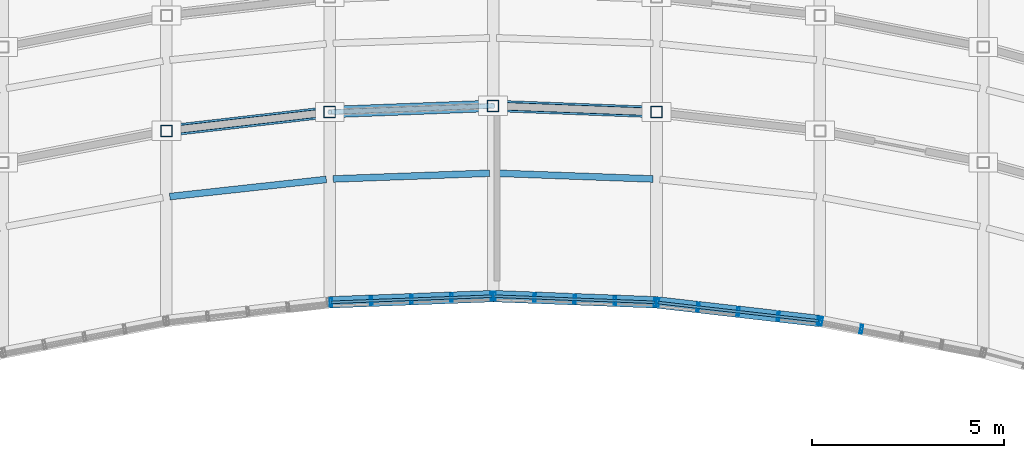
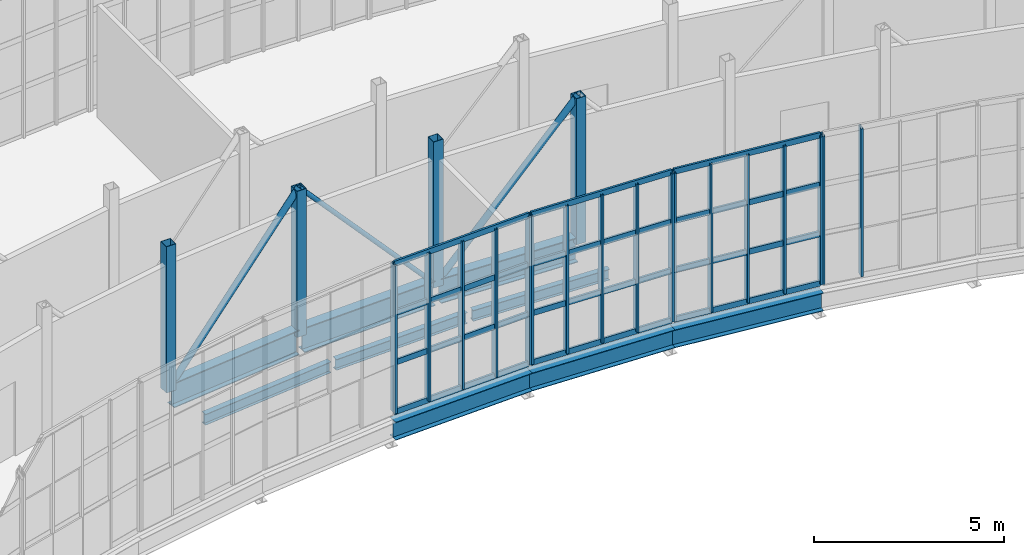
# One storey, part 21 of 46: 36 members, 9 beams, 4 elements without a shape of their own.
"""IFC4 building model written with IfcOpenShell, lengths in metres."""

from ifc_helpers import new_model, si_unit, direction, frame, origin, origin_2d, place, context, subcontext, project, spatial, hollow_rectangle, hollow_circle, i_section, extrude, material, material_profile, profile_set, type_object, element, aggregate, save


model = new_model("IFC4")

# Units and contexts
model_context = context("Model", 3, precision=1e-05, world=origin(), true_north=direction((0.0, 1.0)))
body_context = subcontext(model_context, "Body", "Model", "MODEL_VIEW")
ifc_project = project(units=[si_unit("LENGTHUNIT", "METRE"), si_unit("AREAUNIT", "SQUARE_METRE"), si_unit("VOLUMEUNIT", "CUBIC_METRE"), si_unit("PLANEANGLEUNIT", "RADIAN"), si_unit("MASSUNIT", "GRAM", prefix="KILO")], contexts=[model_context])

# Site, building, storey
site_placement = place(None, origin())
site = spatial("IfcSite", under=ifc_project, at=site_placement, CompositionType="ELEMENT")
building_placement = place(site_placement, origin())
building = spatial("IfcBuilding", under=site, at=building_placement, Name="Solvikara Media Centre", CompositionType="ELEMENT")
storey_placement = place(building_placement, frame((0.0, 0.0, 24.60009765625)))
storey = spatial("IfcBuildingStorey", under=building, at=storey_placement, Name="L05", CompositionType="ELEMENT", Elevation=24.60009765625)

# Beams
ifc_material_1 = material(Name="Steel S355JR", Category="steel")
ifc_material_profile_1 = material_profile(ifc_material_1, i_section(OverallWidth=0.300048828125, OverallDepth=0.800048828125, WebThickness=0.013916015625, FlangeThickness=0.02587890625, at=origin_2d()), Name="WF 800x300x14x26")
ifc_profile_set_1 = profile_set([ifc_material_profile_1], Name="Steel S355JR")
beam_type_1 = type_object("IfcBeamType", Name="BM-16", PredefinedType="BEAM", material=ifc_profile_set_1)
beam_1_placement = place(storey_placement, frame((93.589111328125, 29.778076171875, -0.6220703125), z_axis=(0.993485932274, 0.113954826025, 0.0), x_axis=(-0.113954826025, 0.993485932274, 0.0)))
element("IfcBeam", 1, at=beam_1_placement, inside=storey, type_object=beam_type_1, Name="B-L05-SPNS-04", PredefinedType="BEAM", context=body_context, shape_type="SweptSolid", body=[
    extrude(i_section(OverallWidth=0.300048828125, OverallDepth=0.800048828125, WebThickness=0.013916015625, FlangeThickness=0.02587890625, at=origin_2d()), origin(), (0.0, 0.0, 1.0), 4.098388671875),
])
for number, where, z_axis, x_axis, name in (
    (2, (97.840087890625, 30.258056640625, -0.6220703125), (0.999266124753, 0.038304202383, 0.0), (-0.038304202383, 0.999266124753, 0.0), "B-L05-SPNS-05"),
    (3, (102.090087890625, 30.4140625, -0.6220703125), (0.999266124753, -0.038304202383, 0.0), (0.038304202383, 0.999266124753, 0.0), "B-L05-SPNS-06"),
):
    element("IfcBeam", number, at=place(storey_placement, frame(where, z_axis=z_axis, x_axis=x_axis)), inside=storey, type_object=beam_type_1, Name=name, PredefinedType="BEAM", context=body_context, shape_type="SweptSolid", body=[
        extrude(i_section(OverallWidth=0.300048828125, OverallDepth=0.800048828125, WebThickness=0.013916015625, FlangeThickness=0.02587890625, at=origin_2d()), origin(), (0.0, 0.0, 1.0), 4.07275390625),
    ])
ifc_material_profile_2 = material_profile(ifc_material_1, i_section(OverallWidth=0.175048828125, OverallDepth=0.35009765625, WebThickness=0.007080078125, FlangeThickness=0.010986328125, at=origin_2d()), Name="WF 350x175x7x11")
ifc_profile_set_2 = profile_set([ifc_material_profile_2], Name="Steel S355JR")
beam_type_2 = type_object("IfcBeamType", Name="BM-22", PredefinedType="JOIST", material=ifc_profile_set_2)
beam_2_placement = place(storey_placement, frame((93.589111328125, 28.056884765625, -0.397216796875), z_axis=(0.994079138151, 0.108658488359, 0.0), x_axis=(-0.108658488359, 0.994079138151, 0.0)))
element("IfcBeam", 4, at=beam_2_placement, inside=storey, type_object=beam_type_2, Name="BJ-L05-04-20", PredefinedType="JOIST", context=body_context, shape_type="SweptSolid", body=[
    extrude(i_section(OverallWidth=0.175048828125, OverallDepth=0.35009765625, WebThickness=0.007080078125, FlangeThickness=0.010986328125, at=origin_2d()), origin(), (0.0, 0.0, 1.0), 4.095947265625),
])
for number, where, z_axis, x_axis, name in (
    (5, (97.840087890625, 28.514892578125, -0.397216796875), (0.999328966943, 0.036628074313, 0.0), (-0.036628074313, 0.999328966943, 0.0), "BJ-L05-05-20"),
    (6, (102.090087890625, 28.6640625, -0.397216796875), (0.999328966943, -0.036628074313, 0.0), (0.036628074313, 0.999328966943, 0.0), "BJ-L05-06-20"),
):
    element("IfcBeam", number, at=place(storey_placement, frame(where, z_axis=z_axis, x_axis=x_axis)), inside=storey, type_object=beam_type_2, Name=name, PredefinedType="JOIST", context=body_context, shape_type="SweptSolid", body=[
        extrude(i_section(OverallWidth=0.175048828125, OverallDepth=0.35009765625, WebThickness=0.007080078125, FlangeThickness=0.010986328125, at=origin_2d()), origin(), (0.0, 0.0, 1.0), 4.072509765625),
    ])
ifc_material_profile_3 = material_profile(ifc_material_1, i_section(OverallWidth=0.300048828125, OverallDepth=0.58203125, WebThickness=0.011962890625, FlangeThickness=0.01708984375, at=origin_2d()), Name="WF 582x300x12x17")
ifc_profile_set_3 = profile_set([ifc_material_profile_3], Name="Steel S355JR")
beam_type_3 = type_object("IfcBeamType", Name="BM-31", PredefinedType="SPANDREL", material=ifc_profile_set_3)
for number, where, z_axis, x_axis, name in (
    (7, (97.75, 25.304931640625, -0.51318359375), (0.999273334025, 0.038115664855, 0.0), (-0.038115664855, 0.999273334025, 0.0), "B-L05-SARC-05"),
    (8, (102.0, 25.467041015625, -0.51318359375), (0.999273334025, -0.038115664855, 0.0), (0.038115664855, 0.999273334025, 0.0), "B-L05-SARC-06"),
):
    element("IfcBeam", number, at=place(storey_placement, frame(where, z_axis=z_axis, x_axis=x_axis)), inside=storey, type_object=beam_type_3, Name=name, PredefinedType="SPANDREL", context=body_context, shape_type="SweptSolid", body=[
        extrude(i_section(OverallWidth=0.300048828125, OverallDepth=0.58203125, WebThickness=0.011962890625, FlangeThickness=0.01708984375, at=origin_2d()), origin(), (0.0, 0.0, 1.0), 4.253173828125),
    ])
beam_3_placement = place(storey_placement, frame((106.25, 25.304931640625, -0.51318359375), z_axis=(0.993503575407, -0.113800903571, 0.0), x_axis=(0.113800903571, 0.993503575407, 0.0)))
element("IfcBeam", 9, at=beam_3_placement, inside=storey, type_object=beam_type_3, Name="B-L05-SARC-07", PredefinedType="SPANDREL", context=body_context, shape_type="SweptSolid", body=[
    extrude(i_section(OverallWidth=0.300048828125, OverallDepth=0.58203125, WebThickness=0.011962890625, FlangeThickness=0.01708984375, at=origin_2d()), origin(), (0.0, 0.0, 1.0), 4.27783203125),
])

# Members
ifc_material_profile_4 = material_profile(ifc_material_1, hollow_circle(Radius=0.096923828125, WallThickness=0.008056640625, at=origin_2d()), Name="CHS 193.7x8")
ifc_profile_set_4 = profile_set([ifc_material_profile_4], Name="Steel S355JR")
member_type_1 = type_object("IfcMemberType", Name="MB-06", PredefinedType="BRACE", material=ifc_profile_set_4)
member_1_placement = place(storey_placement, frame((93.5, 29.76806640625, -0.4501953125), z_axis=(0.668720864465, 0.076598656005, 0.739557334713), x_axis=(-0.113800903571, 0.993503575407, 0.0)))
element("IfcMember", 10, at=member_1_placement, inside=storey, type_object=member_type_1, Name="WTR-L05-S-DA04", PredefinedType="BRACE", context=body_context, shape_type="SweptSolid", body=[
    extrude(hollow_circle(Radius=0.096923828125, WallThickness=0.008056640625, at=origin_2d()), origin(), (0.0, 0.0, 1.0), 6.35546875),
])
member_2_placement = place(storey_placement, frame((102.0, 30.4169921875, -0.4501953125), z_axis=(0.670471987907, -0.025574069392, 0.741493951699), x_axis=(0.038115664855, 0.999273334025, 0.0)))
element("IfcMember", 11, at=member_2_placement, inside=storey, type_object=member_type_1, Name="WTR-L05-S-DA06", PredefinedType="BRACE", context=body_context, shape_type="SweptSolid", body=[
    extrude(hollow_circle(Radius=0.096923828125, WallThickness=0.008056640625, at=origin_2d()), origin(), (0.0, 0.0, 1.0), 6.3388671875),
])
ifc_material_profile_5 = material_profile(ifc_material_1, hollow_circle(Radius=0.06982421875, WallThickness=0.00634765625, at=origin_2d()), Name="CHS 139.7x6.3")
ifc_profile_set_5 = profile_set([ifc_material_profile_5], Name="Steel S355JR")
member_type_2 = type_object("IfcMemberType", Name="MB-08", PredefinedType="BRACE", material=ifc_profile_set_5)
member_3_placement = place(storey_placement, frame((97.75, 30.2548828125, 4.25), z_axis=(0.670471987907, 0.025574069392, -0.741493951699), x_axis=(-0.038115664855, 0.999273334025, 0.0)))
element("IfcMember", 12, at=member_3_placement, inside=storey, type_object=member_type_2, Name="WTR-L05-S-DB05", PredefinedType="BRACE", context=body_context, shape_type="SweptSolid", body=[
    extrude(hollow_circle(Radius=0.06982421875, WallThickness=0.00634765625, at=origin_2d()), origin(), (0.0, 0.0, 1.0), 6.3388671875),
])
ifc_material_profile_6 = material_profile(ifc_material_1, hollow_rectangle(XDim=0.300048828125, YDim=0.300048828125, WallThickness=0.012451171875, at=origin_2d()), Name="RHS 300x300x12.5")
ifc_profile_set_6 = profile_set([ifc_material_profile_6], Name="Steel S355JR")
member_type_3 = type_object("IfcMemberType", Name="MB-11", PredefinedType="CHORD", material=ifc_profile_set_6)
for number, where, z_axis, x_axis, name in (
    (13, (93.5, 29.76806640625, -0.4501953125), (0.0, 0.0, 1.0), (1.0, 0.0, 0.0), "WTR-L05-S-V04"),
    (14, (97.75, 30.2548828125, -0.4501953125), (0.0, 0.0, 1.0), (1.0, 0.0, 0.0), "WTR-L05-S-V05"),
    (15, (102.0, 30.4169921875, -0.4501953125), (0.0, 0.0, 1.0), (1.0, 0.0, 0.0), "WTR-L05-S-V06"),
    (16, (106.25, 30.2548828125, -0.4501953125), (0.0, 0.0, 1.0), (1.0, 0.0, 0.0), "WTR-L05-S-V07"),
):
    element("IfcMember", number, at=place(storey_placement, frame(where, z_axis=z_axis, x_axis=x_axis)), inside=storey, type_object=member_type_3, Name=name, PredefinedType="CHORD", context=body_context, shape_type="SweptSolid", body=[
        extrude(hollow_rectangle(XDim=0.300048828125, YDim=0.300048828125, WallThickness=0.012451171875, at=origin_2d()), origin(), (0.0, 0.0, 1.0), 4.7001953125),
    ])

# Curtain wall, members
ifc_material_2 = material(Name="Anodised aluminium EN AW-6063", Category="aluminium")
curtain_wall_type = type_object("IfcCurtainWallType", Name="CW-01", PredefinedType="NOTDEFINED", material=ifc_material_2)
curtain_wall_1_placement = place(storey_placement, origin())
curtain_wall_1 = element("IfcCurtainWall", 17, at=curtain_wall_1_placement, inside=storey, type_object=curtain_wall_type, Name="CW-L05-SARC-05", PredefinedType="NOTDEFINED")
ifc_material_profile_7 = material_profile(ifc_material_2, hollow_rectangle(XDim=0.06494140625, YDim=0.219970703125, WallThickness=0.00390625, at=origin_2d()), Name="ALU-M 65x220x4")
ifc_profile_set_7 = profile_set([ifc_material_profile_7], Name="Anodised aluminium EN AW-6063")
member_type_4 = type_object("IfcMemberType", Name="MF-01", PredefinedType="MULLION", material=ifc_profile_set_7)
member_4_placement = place(storey_placement, frame((97.784912109375, 25.305908203125, 0.02001953125), z_axis=(0.0, 0.0, 1.0), x_axis=(0.999268266619, 0.03824828529, 0.0)))
member_4 = element("IfcMember", 18, at=member_4_placement, type_object=member_type_4, Name="CW-L05-SARC-05-M00", PredefinedType="MULLION", context=body_context, shape_type="SweptSolid", body=[
    extrude(hollow_rectangle(XDim=0.06494140625, YDim=0.219970703125, WallThickness=0.00390625, at=origin_2d()), origin(), (0.0, 0.0, 1.0), 4.759765625),
])
member_5_placement = place(storey_placement, frame((98.830078125, 25.345947265625, 0.02001953125), z_axis=(0.0, 0.0, 1.0), x_axis=(0.999268266619, 0.03824828529, 0.0)))
member_5 = element("IfcMember", 19, at=member_5_placement, type_object=member_type_4, Name="CW-L05-SARC-05-M01", PredefinedType="MULLION", context=body_context, shape_type="SweptSolid", body=[
    extrude(hollow_rectangle(XDim=0.06494140625, YDim=0.219970703125, WallThickness=0.00390625, at=origin_2d()), origin(), (0.0, 0.0, 1.0), 4.759765625),
])
member_6_placement = place(storey_placement, frame((99.875, 25.385986328125, 0.02001953125), z_axis=(0.0, 0.0, 1.0), x_axis=(0.999268266619, 0.03824828529, 0.0)))
member_6 = element("IfcMember", 20, at=member_6_placement, type_object=member_type_4, Name="CW-L05-SARC-05-M02", PredefinedType="MULLION", context=body_context, shape_type="SweptSolid", body=[
    extrude(hollow_rectangle(XDim=0.06494140625, YDim=0.219970703125, WallThickness=0.00390625, at=origin_2d()), origin(), (0.0, 0.0, 1.0), 4.759765625),
])
member_7_placement = place(storey_placement, frame((100.919921875, 25.426025390625, 0.02001953125), z_axis=(0.0, 0.0, 1.0), x_axis=(0.999268266619, 0.03824828529, 0.0)))
member_7 = element("IfcMember", 21, at=member_7_placement, type_object=member_type_4, Name="CW-L05-SARC-05-M03", PredefinedType="MULLION", context=body_context, shape_type="SweptSolid", body=[
    extrude(hollow_rectangle(XDim=0.06494140625, YDim=0.219970703125, WallThickness=0.00390625, at=origin_2d()), origin(), (0.0, 0.0, 1.0), 4.759765625),
])
member_8_placement = place(storey_placement, frame((101.965087890625, 25.466064453125, 0.02001953125), z_axis=(0.0, 0.0, 1.0), x_axis=(0.999268266619, 0.03824828529, 0.0)))
member_8 = element("IfcMember", 22, at=member_8_placement, type_object=member_type_4, Name="CW-L05-SARC-05-M04", PredefinedType="MULLION", context=body_context, shape_type="SweptSolid", body=[
    extrude(hollow_rectangle(XDim=0.06494140625, YDim=0.219970703125, WallThickness=0.00390625, at=origin_2d()), origin(), (0.0, 0.0, 1.0), 4.759765625),
])

curtain_wall_2_placement = place(storey_placement, origin())
curtain_wall_2 = element("IfcCurtainWall", 23, at=curtain_wall_2_placement, inside=storey, type_object=curtain_wall_type, Name="CW-L05-SARC-06", PredefinedType="NOTDEFINED")
member_9_placement = place(storey_placement, frame((102.034912109375, 25.466064453125, 0.02001953125), z_axis=(0.0, 0.0, 1.0), x_axis=(0.999268266619, -0.03824828529, 0.0)))
member_9 = element("IfcMember", 24, at=member_9_placement, type_object=member_type_4, Name="CW-L05-SARC-06-M00", PredefinedType="MULLION", context=body_context, shape_type="SweptSolid", body=[
    extrude(hollow_rectangle(XDim=0.06494140625, YDim=0.219970703125, WallThickness=0.00390625, at=origin_2d()), origin(), (0.0, 0.0, 1.0), 4.759765625),
])
member_10_placement = place(storey_placement, frame((103.080078125, 25.426025390625, 0.02001953125), z_axis=(0.0, 0.0, 1.0), x_axis=(0.999268266619, -0.03824828529, 0.0)))
member_10 = element("IfcMember", 25, at=member_10_placement, type_object=member_type_4, Name="CW-L05-SARC-06-M01", PredefinedType="MULLION", context=body_context, shape_type="SweptSolid", body=[
    extrude(hollow_rectangle(XDim=0.06494140625, YDim=0.219970703125, WallThickness=0.00390625, at=origin_2d()), origin(), (0.0, 0.0, 1.0), 4.759765625),
])
member_11_placement = place(storey_placement, frame((104.125, 25.385986328125, 0.02001953125), z_axis=(0.0, 0.0, 1.0), x_axis=(0.999268266619, -0.03824828529, 0.0)))
member_11 = element("IfcMember", 26, at=member_11_placement, type_object=member_type_4, Name="CW-L05-SARC-06-M02", PredefinedType="MULLION", context=body_context, shape_type="SweptSolid", body=[
    extrude(hollow_rectangle(XDim=0.06494140625, YDim=0.219970703125, WallThickness=0.00390625, at=origin_2d()), origin(), (0.0, 0.0, 1.0), 4.759765625),
])
member_12_placement = place(storey_placement, frame((105.169921875, 25.345947265625, 0.02001953125), z_axis=(0.0, 0.0, 1.0), x_axis=(0.999268266619, -0.03824828529, 0.0)))
member_12 = element("IfcMember", 27, at=member_12_placement, type_object=member_type_4, Name="CW-L05-SARC-06-M03", PredefinedType="MULLION", context=body_context, shape_type="SweptSolid", body=[
    extrude(hollow_rectangle(XDim=0.06494140625, YDim=0.219970703125, WallThickness=0.00390625, at=origin_2d()), origin(), (0.0, 0.0, 1.0), 4.759765625),
])
member_13_placement = place(storey_placement, frame((106.215087890625, 25.305908203125, 0.02001953125), z_axis=(0.0, 0.0, 1.0), x_axis=(0.999268266619, -0.03824828529, 0.0)))
member_13 = element("IfcMember", 28, at=member_13_placement, type_object=member_type_4, Name="CW-L05-SARC-06-M04", PredefinedType="MULLION", context=body_context, shape_type="SweptSolid", body=[
    extrude(hollow_rectangle(XDim=0.06494140625, YDim=0.219970703125, WallThickness=0.00390625, at=origin_2d()), origin(), (0.0, 0.0, 1.0), 4.759765625),
])

curtain_wall_3_placement = place(storey_placement, origin())
curtain_wall_3 = element("IfcCurtainWall", 29, at=curtain_wall_3_placement, inside=storey, type_object=curtain_wall_type, Name="CW-L05-SARC-07", PredefinedType="NOTDEFINED")
member_14_placement = place(storey_placement, frame((106.284912109375, 25.301025390625, 0.02001953125), z_axis=(0.0, 0.0, 1.0), x_axis=(0.993498545066, -0.113844810828, 0.0)))
member_14 = element("IfcMember", 30, at=member_14_placement, type_object=member_type_4, Name="CW-L05-SARC-07-M00", PredefinedType="MULLION", context=body_context, shape_type="SweptSolid", body=[
    extrude(hollow_rectangle(XDim=0.06494140625, YDim=0.219970703125, WallThickness=0.00390625, at=origin_2d()), origin(), (0.0, 0.0, 1.0), 4.759765625),
])
member_15_placement = place(storey_placement, frame((107.330078125, 25.180908203125, 0.02001953125), z_axis=(0.0, 0.0, 1.0), x_axis=(0.993498545066, -0.113844810828, 0.0)))
member_15 = element("IfcMember", 31, at=member_15_placement, type_object=member_type_4, Name="CW-L05-SARC-07-M01", PredefinedType="MULLION", context=body_context, shape_type="SweptSolid", body=[
    extrude(hollow_rectangle(XDim=0.06494140625, YDim=0.219970703125, WallThickness=0.00390625, at=origin_2d()), origin(), (0.0, 0.0, 1.0), 4.759765625),
])
member_16_placement = place(storey_placement, frame((108.375, 25.06103515625, 0.02001953125), z_axis=(0.0, 0.0, 1.0), x_axis=(0.993498545066, -0.113844810828, 0.0)))
member_16 = element("IfcMember", 32, at=member_16_placement, type_object=member_type_4, Name="CW-L05-SARC-07-M02", PredefinedType="MULLION", context=body_context, shape_type="SweptSolid", body=[
    extrude(hollow_rectangle(XDim=0.06494140625, YDim=0.219970703125, WallThickness=0.00390625, at=origin_2d()), origin(), (0.0, 0.0, 1.0), 4.759765625),
])
member_17_placement = place(storey_placement, frame((109.419921875, 24.94189453125, 0.02001953125), z_axis=(0.0, 0.0, 1.0), x_axis=(0.993498545066, -0.113844810828, 0.0)))
member_17 = element("IfcMember", 33, at=member_17_placement, type_object=member_type_4, Name="CW-L05-SARC-07-M03", PredefinedType="MULLION", context=body_context, shape_type="SweptSolid", body=[
    extrude(hollow_rectangle(XDim=0.06494140625, YDim=0.219970703125, WallThickness=0.00390625, at=origin_2d()), origin(), (0.0, 0.0, 1.0), 4.759765625),
])
member_18_placement = place(storey_placement, frame((110.465087890625, 24.822021484375, 0.02001953125), z_axis=(0.0, 0.0, 1.0), x_axis=(0.993498545066, -0.113844810828, 0.0)))
member_18 = element("IfcMember", 34, at=member_18_placement, type_object=member_type_4, Name="CW-L05-SARC-07-M04", PredefinedType="MULLION", context=body_context, shape_type="SweptSolid", body=[
    extrude(hollow_rectangle(XDim=0.06494140625, YDim=0.219970703125, WallThickness=0.00390625, at=origin_2d()), origin(), (0.0, 0.0, 1.0), 4.759765625),
])

curtain_wall_4_placement = place(storey_placement, origin())
curtain_wall_4 = element("IfcCurtainWall", 35, at=curtain_wall_4_placement, inside=storey, type_object=curtain_wall_type, Name="CW-L05-SARC-08", PredefinedType="NOTDEFINED")
member_19_placement = place(storey_placement, frame((110.533935546875, 24.81103515625, 0.02001953125), z_axis=(0.0, 0.0, 1.0), x_axis=(0.981843017659, -0.189695252114, 0.0)))
member_19 = element("IfcMember", 36, at=member_19_placement, type_object=member_type_4, Name="CW-L05-SARC-08-M00", PredefinedType="MULLION", context=body_context, shape_type="SweptSolid", body=[
    extrude(hollow_rectangle(XDim=0.06494140625, YDim=0.219970703125, WallThickness=0.00390625, at=origin_2d()), origin(), (0.0, 0.0, 1.0), 4.759765625),
])
member_20_placement = place(storey_placement, frame((111.580078125, 24.60888671875, 0.02001953125), z_axis=(0.0, 0.0, 1.0), x_axis=(0.981843017659, -0.189695252114, 0.0)))
member_20 = element("IfcMember", 37, at=member_20_placement, type_object=member_type_4, Name="CW-L05-SARC-08-M01", PredefinedType="MULLION", context=body_context, shape_type="SweptSolid", body=[
    extrude(hollow_rectangle(XDim=0.06494140625, YDim=0.219970703125, WallThickness=0.00390625, at=origin_2d()), origin(), (0.0, 0.0, 1.0), 4.759765625),
])
aggregate(curtain_wall_4, [member_19, member_20])

# Member
ifc_material_profile_8 = material_profile(ifc_material_2, hollow_rectangle(XDim=0.06494140625, YDim=0.179931640625, WallThickness=0.00341796875, at=origin_2d()), Name="ALU-T 65x180x3.5")
ifc_profile_set_8 = profile_set([ifc_material_profile_8], Name="Anodised aluminium EN AW-6063")
member_type_5 = type_object("IfcMemberType", Name="MF-07", PredefinedType="USERDEFINED", material=ifc_profile_set_8)
member_21_placement = place(storey_placement, frame((97.784912109375, 25.305908203125, 0.02001953125), z_axis=(0.999266853288, 0.038285191903, 0.0), x_axis=(-0.038285191903, 0.999266853288, 0.0)))
member_21 = element("IfcMember", 38, at=member_21_placement, type_object=member_type_5, Name="CW-L05-SARC-05-T00", ObjectType="TRANSOM", PredefinedType="USERDEFINED", context=body_context, shape_type="SweptSolid", body=[
    extrude(hollow_rectangle(XDim=0.06494140625, YDim=0.179931640625, WallThickness=0.00341796875, at=origin_2d()), origin(), (0.0, 0.0, 1.0), 4.183349609375),
])

member_22_placement = place(storey_placement, frame((97.784912109375, 25.305908203125, 1.60693359375), z_axis=(0.999266853288, 0.038285191903, 0.0), x_axis=(-0.038285191903, 0.999266853288, 0.0)))
member_22 = element("IfcMember", 39, at=member_22_placement, type_object=member_type_5, Name="CW-L05-SARC-05-T01", ObjectType="TRANSOM", PredefinedType="USERDEFINED", context=body_context, shape_type="SweptSolid", body=[
    extrude(hollow_rectangle(XDim=0.06494140625, YDim=0.179931640625, WallThickness=0.00341796875, at=origin_2d()), origin(), (0.0, 0.0, 1.0), 4.183349609375),
])

member_23_placement = place(storey_placement, frame((97.784912109375, 25.305908203125, 3.19287109375), z_axis=(0.999266853288, 0.038285191903, 0.0), x_axis=(-0.038285191903, 0.999266853288, 0.0)))
member_23 = element("IfcMember", 40, at=member_23_placement, type_object=member_type_5, Name="CW-L05-SARC-05-T02", ObjectType="TRANSOM", PredefinedType="USERDEFINED", context=body_context, shape_type="SweptSolid", body=[
    extrude(hollow_rectangle(XDim=0.06494140625, YDim=0.179931640625, WallThickness=0.00341796875, at=origin_2d()), origin(), (0.0, 0.0, 1.0), 4.183349609375),
])

member_24_placement = place(storey_placement, frame((97.784912109375, 25.305908203125, 4.77978515625), z_axis=(0.999266853288, 0.038285191903, 0.0), x_axis=(-0.038285191903, 0.999266853288, 0.0)))
member_24 = element("IfcMember", 41, at=member_24_placement, type_object=member_type_5, Name="CW-L05-SARC-05-T03", ObjectType="TRANSOM", PredefinedType="USERDEFINED", context=body_context, shape_type="SweptSolid", body=[
    extrude(hollow_rectangle(XDim=0.06494140625, YDim=0.179931640625, WallThickness=0.00341796875, at=origin_2d()), origin(), (0.0, 0.0, 1.0), 4.183349609375),
])

aggregate(curtain_wall_1, [member_4, member_5, member_6, member_7, member_8, member_21, member_22, member_23, member_24])

member_25_placement = place(storey_placement, frame((102.034912109375, 25.466064453125, 0.02001953125), z_axis=(0.999266853288, -0.038285191903, 0.0), x_axis=(0.038285191903, 0.999266853288, 0.0)))
member_25 = element("IfcMember", 42, at=member_25_placement, type_object=member_type_5, Name="CW-L05-SARC-06-T00", ObjectType="TRANSOM", PredefinedType="USERDEFINED", context=body_context, shape_type="SweptSolid", body=[
    extrude(hollow_rectangle(XDim=0.06494140625, YDim=0.179931640625, WallThickness=0.00341796875, at=origin_2d()), origin(), (0.0, 0.0, 1.0), 4.183349609375),
])

member_26_placement = place(storey_placement, frame((102.034912109375, 25.466064453125, 1.60693359375), z_axis=(0.999266853288, -0.038285191903, 0.0), x_axis=(0.038285191903, 0.999266853288, 0.0)))
member_26 = element("IfcMember", 43, at=member_26_placement, type_object=member_type_5, Name="CW-L05-SARC-06-T01", ObjectType="TRANSOM", PredefinedType="USERDEFINED", context=body_context, shape_type="SweptSolid", body=[
    extrude(hollow_rectangle(XDim=0.06494140625, YDim=0.179931640625, WallThickness=0.00341796875, at=origin_2d()), origin(), (0.0, 0.0, 1.0), 4.183349609375),
])

member_27_placement = place(storey_placement, frame((102.034912109375, 25.466064453125, 3.19287109375), z_axis=(0.999266853288, -0.038285191903, 0.0), x_axis=(0.038285191903, 0.999266853288, 0.0)))
member_27 = element("IfcMember", 44, at=member_27_placement, type_object=member_type_5, Name="CW-L05-SARC-06-T02", ObjectType="TRANSOM", PredefinedType="USERDEFINED", context=body_context, shape_type="SweptSolid", body=[
    extrude(hollow_rectangle(XDim=0.06494140625, YDim=0.179931640625, WallThickness=0.00341796875, at=origin_2d()), origin(), (0.0, 0.0, 1.0), 4.183349609375),
])

member_28_placement = place(storey_placement, frame((102.034912109375, 25.466064453125, 4.77978515625), z_axis=(0.999266853288, -0.038285191903, 0.0), x_axis=(0.038285191903, 0.999266853288, 0.0)))
member_28 = element("IfcMember", 45, at=member_28_placement, type_object=member_type_5, Name="CW-L05-SARC-06-T03", ObjectType="TRANSOM", PredefinedType="USERDEFINED", context=body_context, shape_type="SweptSolid", body=[
    extrude(hollow_rectangle(XDim=0.06494140625, YDim=0.179931640625, WallThickness=0.00341796875, at=origin_2d()), origin(), (0.0, 0.0, 1.0), 4.183349609375),
])

aggregate(curtain_wall_2, [member_9, member_10, member_11, member_12, member_13, member_25, member_26, member_27, member_28])

member_29_placement = place(storey_placement, frame((106.284912109375, 25.301025390625, 0.02001953125), z_axis=(0.993498589361, -0.113844424269, 0.0), x_axis=(0.113844424269, 0.993498589361, 0.0)))
member_29 = element("IfcMember", 46, at=member_29_placement, type_object=member_type_5, Name="CW-L05-SARC-07-T00", ObjectType="TRANSOM", PredefinedType="USERDEFINED", context=body_context, shape_type="SweptSolid", body=[
    extrude(hollow_rectangle(XDim=0.06494140625, YDim=0.179931640625, WallThickness=0.00341796875, at=origin_2d()), origin(), (0.0, 0.0, 1.0), 4.20751953125),
])

member_30_placement = place(storey_placement, frame((106.284912109375, 25.301025390625, 1.60693359375), z_axis=(0.993498589361, -0.113844424269, 0.0), x_axis=(0.113844424269, 0.993498589361, 0.0)))
member_30 = element("IfcMember", 47, at=member_30_placement, type_object=member_type_5, Name="CW-L05-SARC-07-T01", ObjectType="TRANSOM", PredefinedType="USERDEFINED", context=body_context, shape_type="SweptSolid", body=[
    extrude(hollow_rectangle(XDim=0.06494140625, YDim=0.179931640625, WallThickness=0.00341796875, at=origin_2d()), origin(), (0.0, 0.0, 1.0), 4.20751953125),
])

member_31_placement = place(storey_placement, frame((106.284912109375, 25.301025390625, 3.19287109375), z_axis=(0.993498589361, -0.113844424269, 0.0), x_axis=(0.113844424269, 0.993498589361, 0.0)))
member_31 = element("IfcMember", 48, at=member_31_placement, type_object=member_type_5, Name="CW-L05-SARC-07-T02", ObjectType="TRANSOM", PredefinedType="USERDEFINED", context=body_context, shape_type="SweptSolid", body=[
    extrude(hollow_rectangle(XDim=0.06494140625, YDim=0.179931640625, WallThickness=0.00341796875, at=origin_2d()), origin(), (0.0, 0.0, 1.0), 4.20751953125),
])

member_32_placement = place(storey_placement, frame((106.284912109375, 25.301025390625, 4.77978515625), z_axis=(0.993498589361, -0.113844424269, 0.0), x_axis=(0.113844424269, 0.993498589361, 0.0)))
member_32 = element("IfcMember", 49, at=member_32_placement, type_object=member_type_5, Name="CW-L05-SARC-07-T03", ObjectType="TRANSOM", PredefinedType="USERDEFINED", context=body_context, shape_type="SweptSolid", body=[
    extrude(hollow_rectangle(XDim=0.06494140625, YDim=0.179931640625, WallThickness=0.00341796875, at=origin_2d()), origin(), (0.0, 0.0, 1.0), 4.20751953125),
])

aggregate(curtain_wall_3, [member_14, member_15, member_16, member_17, member_18, member_29, member_30, member_31, member_32])

save(model, "model.ifc")
